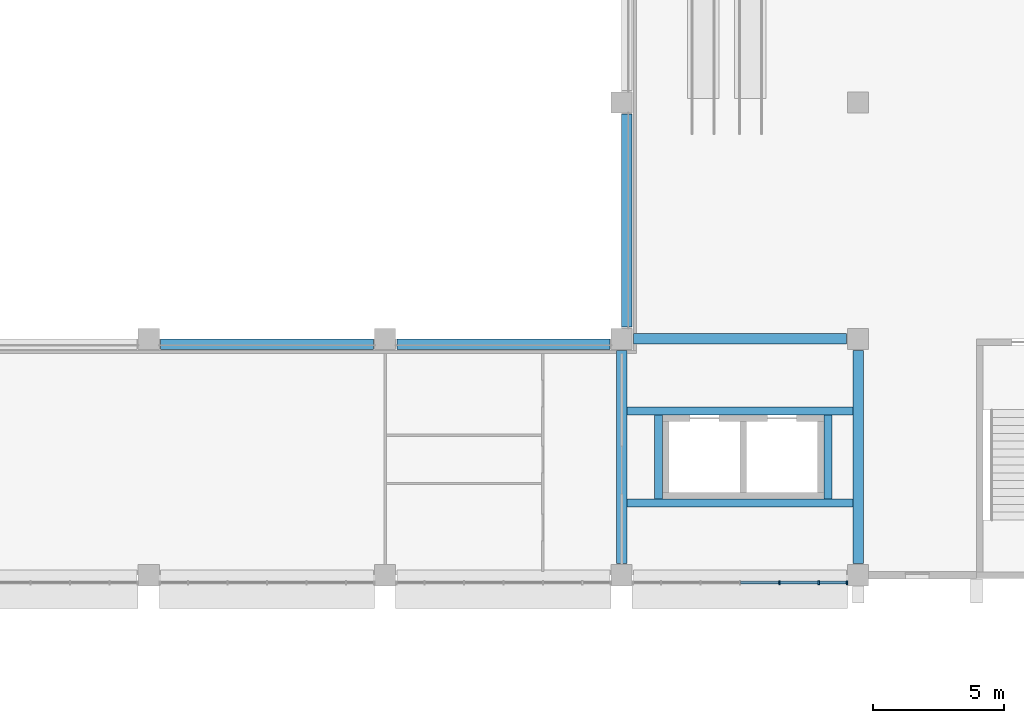
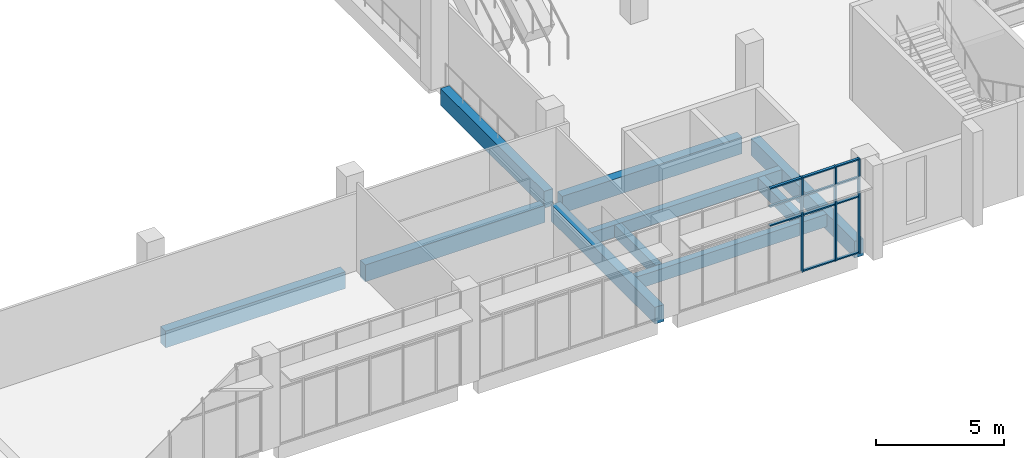
# One storey, part 6 of 106: 14 members, 10 beams, 1 element without a shape of its own.
"""IFC4 building model written with IfcOpenShell, lengths in metres."""

from ifc_helpers import new_model, si_unit, direction, frame, origin, origin_2d, place, context, subcontext, project, spatial, rectangle, extrude, material, layer, layer_set, material_profile, profile_set, type_object, element, aggregate, save


model = new_model("IFC4")

# Units and contexts
model_context = context("Model", 3, precision=1e-05, world=origin(), true_north=direction((0.0, 1.0)))
body_context = subcontext(model_context, "Body", "Model", "MODEL_VIEW")
ifc_project = project(units=[si_unit("LENGTHUNIT", "METRE"), si_unit("AREAUNIT", "SQUARE_METRE"), si_unit("VOLUMEUNIT", "CUBIC_METRE"), si_unit("PLANEANGLEUNIT", "RADIAN"), si_unit("MASSUNIT", "GRAM", prefix="KILO")], contexts=[model_context])

# Site, building, storey
site_placement = place(None, origin())
site = spatial("IfcSite", under=ifc_project, at=site_placement, CompositionType="ELEMENT")
building_placement = place(site_placement, origin())
building = spatial("IfcBuilding", under=site, at=building_placement, Name="Guidao Yard Department Store", CompositionType="ELEMENT")
storey_placement = place(building_placement, frame((0.0, 0.0, 10.5)))
storey = spatial("IfcBuildingStorey", under=building, at=storey_placement, Name="L02", CompositionType="ELEMENT", Elevation=10.5)

# Beams
ifc_material_1 = material(Name="Concrete C40", Category="concrete")
ifc_material_profile_1 = material_profile(ifc_material_1, rectangle(XDim=0.39990234375, YDim=0.800048828125, at=origin_2d()), Name="Edge beam 400 x 800 C40")
ifc_profile_set_1 = profile_set([ifc_material_profile_1], Name="Concrete C40")
beam_type_1 = type_object("IfcBeamType", Name="Edge beam 400 x 800 C40", PredefinedType="BEAM", material=ifc_profile_set_1)
for number, where, z_axis, x_axis, name in (
    (1, (27.449951171875, 53.800048828125, -0.39990234375), (1.0, 0.0, 0.0), (0.0, 1.0, 0.0), "Beam EB20"),
    (2, (36.449951171875, 53.800048828125, -0.39990234375), (1.0, 0.0, 0.0), (0.0, 1.0, 0.0), "Beam EB21"),
    (3, (45.199951171875, 54.449951171875, -0.39990234375), (0.0, 1.0, 0.0), (-1.0, 0.0, 0.0), "Beam EB22"),
    (4, (45.449951171875, 54.0, -0.39990234375), (1.0, 0.0, 0.0), (0.0, 1.0, 0.0), "Beam EB68"),
    (5, (45.0, 45.449951171875, -0.39990234375), (0.0, 1.0, 0.0), (-1.0, 0.0, 0.0), "Beam EB69"),
    (6, (54.0, 45.449951171875, -0.39990234375), (0.0, 1.0, 0.0), (-1.0, 0.0, 0.0), "Beam EB70"),
):
    element("IfcBeam", number, at=place(storey_placement, frame(where, z_axis=z_axis, x_axis=x_axis)), inside=storey, type_object=beam_type_1, Name=name, PredefinedType="BEAM", context=body_context, shape_type="SweptSolid", body=[
        extrude(rectangle(XDim=0.39990234375, YDim=0.800048828125, at=origin_2d()), origin(), (0.0, 0.0, 1.0), 8.10009765625),
    ])

# Curtain wall, members
ifc_material_2 = material(Name="Aluminium and glass", Category="aluminium")
ifc_layer = layer(ifc_material_2, 0.159912109375)
ifc_layer_set = layer_set([ifc_layer], Name="Hall front curtain wall CW2 1500 module")
curtain_wall_type = type_object("IfcCurtainWallType", Name="Hall front curtain wall CW2 1500 module", PredefinedType="NOTDEFINED", material=ifc_layer_set)
curtain_wall_placement = place(storey_placement, origin())
curtain_wall = element("IfcCurtainWall", 7, at=curtain_wall_placement, inside=storey, type_object=curtain_wall_type, Name="Hall front curtain wall", PredefinedType="NOTDEFINED")
ifc_material_3 = material(Name="Aluminium 6063-T5", Category="aluminium")
ifc_material_profile_2 = material_profile(ifc_material_3, rectangle(XDim=0.06005859375, YDim=0.159912109375, at=origin_2d()), Name="Mullion M1 60 x 160 aluminium pressure plate")
ifc_profile_set_2 = profile_set([ifc_material_profile_2], Name="Aluminium 6063-T5")
member_type_1 = type_object("IfcMemberType", Name="Mullion M1 60 x 160 aluminium pressure plate", PredefinedType="MULLION", material=ifc_profile_set_2)
member_1_placement = place(storey_placement, frame((51.0, 44.719970703125, 0.0), z_axis=(0.0, 0.0, 1.0), x_axis=(-1.0, 0.0, 0.0)))
member_1 = element("IfcMember", 8, at=member_1_placement, type_object=member_type_1, Name="CW-HF-L02-05 mullion 5", PredefinedType="MULLION", context=body_context, shape_type="SweptSolid", body=[
    extrude(rectangle(XDim=0.06005859375, YDim=0.159912109375, at=origin_2d()), origin(), (0.0, 0.0, 1.0), 4.5),
])
member_2_placement = place(storey_placement, frame((52.5, 44.719970703125, 0.0), z_axis=(0.0, 0.0, 1.0), x_axis=(-1.0, 0.0, 0.0)))
member_2 = element("IfcMember", 9, at=member_2_placement, type_object=member_type_1, Name="CW-HF-L02-05 mullion 6", PredefinedType="MULLION", context=body_context, shape_type="SweptSolid", body=[
    extrude(rectangle(XDim=0.06005859375, YDim=0.159912109375, at=origin_2d()), origin(), (0.0, 0.0, 1.0), 4.5),
])
member_3_placement = place(storey_placement, frame((53.570068359375, 44.719970703125, 0.0), z_axis=(0.0, 0.0, 1.0), x_axis=(-1.0, 0.0, 0.0)))
member_3 = element("IfcMember", 10, at=member_3_placement, type_object=member_type_1, Name="CW-HF-L02-05 mullion 7", PredefinedType="MULLION", context=body_context, shape_type="SweptSolid", body=[
    extrude(rectangle(XDim=0.06005859375, YDim=0.159912109375, at=origin_2d()), origin(), (0.0, 0.0, 1.0), 4.5),
])

# Beams
ifc_material_4 = material(Name="Concrete C40", Category="concrete")
ifc_material_profile_3 = material_profile(ifc_material_4, rectangle(XDim=0.300048828125, YDim=0.60009765625, at=origin_2d()), Name="Opening beam 300 x 600 C40")
ifc_profile_set_3 = profile_set([ifc_material_profile_3], Name="Concrete C40")
beam_type_2 = type_object("IfcBeamType", Name="Opening beam 300 x 600 C40", PredefinedType="BEAM", material=ifc_profile_set_3)
for number, where, z_axis, x_axis, name in (
    (11, (45.199951171875, 47.75, -0.300048828125), (1.0, 0.0, 0.0), (0.0, 1.0, 0.0), "Beam OB09"),
    (12, (45.199951171875, 51.25, -0.300048828125), (1.0, 0.0, 0.0), (0.0, 1.0, 0.0), "Beam OB10"),
):
    element("IfcBeam", number, at=place(storey_placement, frame(where, z_axis=z_axis, x_axis=x_axis)), inside=storey, type_object=beam_type_2, Name=name, PredefinedType="BEAM", context=body_context, shape_type="SweptSolid", body=[
        extrude(rectangle(XDim=0.300048828125, YDim=0.60009765625, at=origin_2d()), origin(), (0.0, 0.0, 1.0), 8.60009765625),
    ])
for number, where, z_axis, x_axis, name in (
    (13, (46.39990234375, 47.89990234375, -0.300048828125), (0.0, 1.0, 0.0), (-1.0, 0.0, 0.0), "Beam OB11"),
    (14, (52.85009765625, 47.89990234375, -0.300048828125), (0.0, 1.0, 0.0), (-1.0, 0.0, 0.0), "Beam OB12"),
):
    element("IfcBeam", number, at=place(storey_placement, frame(where, z_axis=z_axis, x_axis=x_axis)), inside=storey, type_object=beam_type_2, Name=name, PredefinedType="BEAM", context=body_context, shape_type="SweptSolid", body=[
        extrude(rectangle(XDim=0.300048828125, YDim=0.60009765625, at=origin_2d()), origin(), (0.0, 0.0, 1.0), 3.2001953125),
    ])

# Member
ifc_material_5 = material(Name="Aluminium 6063-T5", Category="aluminium")
ifc_material_profile_4 = material_profile(ifc_material_5, rectangle(XDim=0.1201171875, YDim=0.06005859375, at=origin_2d()), Name="Transom T1 60 x 120 aluminium pressure plate")
ifc_profile_set_4 = profile_set([ifc_material_profile_4], Name="Aluminium 6063-T5")
member_type_2 = type_object("IfcMemberType", Name="Transom T1 60 x 120 aluminium pressure plate", PredefinedType="USERDEFINED", material=ifc_profile_set_4)
member_4_placement = place(storey_placement, frame((50.969970703125, 44.719970703125, 2.699951171875), z_axis=(-1.0, 0.0, 0.0), x_axis=(0.0, -1.0, 0.0)))
member_4 = element("IfcMember", 15, at=member_4_placement, type_object=member_type_2, Name="CW-HF-L02-05 transom 4.2", ObjectType="TRANSOM", PredefinedType="USERDEFINED", context=body_context, shape_type="SweptSolid", body=[
    extrude(rectangle(XDim=0.1201171875, YDim=0.06005859375, at=origin_2d()), origin(), (0.0, 0.0, 1.0), 1.43994140625),
])

member_5_placement = place(storey_placement, frame((50.969970703125, 44.719970703125, 3.60009765625), z_axis=(-1.0, 0.0, 0.0), x_axis=(0.0, -1.0, 0.0)))
member_5 = element("IfcMember", 16, at=member_5_placement, type_object=member_type_2, Name="CW-HF-L02-05 transom 4.3", ObjectType="TRANSOM", PredefinedType="USERDEFINED", context=body_context, shape_type="SweptSolid", body=[
    extrude(rectangle(XDim=0.1201171875, YDim=0.06005859375, at=origin_2d()), origin(), (0.0, 0.0, 1.0), 1.43994140625),
])

member_6_placement = place(storey_placement, frame((50.969970703125, 44.719970703125, 4.469970703125), z_axis=(-1.0, 0.0, 0.0), x_axis=(0.0, -1.0, 0.0)))
member_6 = element("IfcMember", 17, at=member_6_placement, type_object=member_type_2, Name="CW-HF-L02-05 transom 4.4", ObjectType="TRANSOM", PredefinedType="USERDEFINED", context=body_context, shape_type="SweptSolid", body=[
    extrude(rectangle(XDim=0.1201171875, YDim=0.06005859375, at=origin_2d()), origin(), (0.0, 0.0, 1.0), 1.43994140625),
])

member_7_placement = place(storey_placement, frame((52.469970703125, 44.719970703125, 0.030029296875), z_axis=(-1.0, 0.0, 0.0), x_axis=(0.0, -1.0, 0.0)))
member_7 = element("IfcMember", 18, at=member_7_placement, type_object=member_type_2, Name="CW-HF-L02-05 transom 5.1", ObjectType="TRANSOM", PredefinedType="USERDEFINED", context=body_context, shape_type="SweptSolid", body=[
    extrude(rectangle(XDim=0.1201171875, YDim=0.06005859375, at=origin_2d()), origin(), (0.0, 0.0, 1.0), 1.43994140625),
])

member_8_placement = place(storey_placement, frame((52.469970703125, 44.719970703125, 2.699951171875), z_axis=(-1.0, 0.0, 0.0), x_axis=(0.0, -1.0, 0.0)))
member_8 = element("IfcMember", 19, at=member_8_placement, type_object=member_type_2, Name="CW-HF-L02-05 transom 5.2", ObjectType="TRANSOM", PredefinedType="USERDEFINED", context=body_context, shape_type="SweptSolid", body=[
    extrude(rectangle(XDim=0.1201171875, YDim=0.06005859375, at=origin_2d()), origin(), (0.0, 0.0, 1.0), 1.43994140625),
])

member_9_placement = place(storey_placement, frame((52.469970703125, 44.719970703125, 3.60009765625), z_axis=(-1.0, 0.0, 0.0), x_axis=(0.0, -1.0, 0.0)))
member_9 = element("IfcMember", 20, at=member_9_placement, type_object=member_type_2, Name="CW-HF-L02-05 transom 5.3", ObjectType="TRANSOM", PredefinedType="USERDEFINED", context=body_context, shape_type="SweptSolid", body=[
    extrude(rectangle(XDim=0.1201171875, YDim=0.06005859375, at=origin_2d()), origin(), (0.0, 0.0, 1.0), 1.43994140625),
])

member_10_placement = place(storey_placement, frame((52.469970703125, 44.719970703125, 4.469970703125), z_axis=(-1.0, 0.0, 0.0), x_axis=(0.0, -1.0, 0.0)))
member_10 = element("IfcMember", 21, at=member_10_placement, type_object=member_type_2, Name="CW-HF-L02-05 transom 5.4", ObjectType="TRANSOM", PredefinedType="USERDEFINED", context=body_context, shape_type="SweptSolid", body=[
    extrude(rectangle(XDim=0.1201171875, YDim=0.06005859375, at=origin_2d()), origin(), (0.0, 0.0, 1.0), 1.43994140625),
])

member_11_placement = place(storey_placement, frame((53.5400390625, 44.719970703125, 0.030029296875), z_axis=(-1.0, 0.0, 0.0), x_axis=(0.0, -1.0, 0.0)))
member_11 = element("IfcMember", 22, at=member_11_placement, type_object=member_type_2, Name="CW-HF-L02-05 transom 6.1", ObjectType="TRANSOM", PredefinedType="USERDEFINED", context=body_context, shape_type="SweptSolid", body=[
    extrude(rectangle(XDim=0.1201171875, YDim=0.06005859375, at=origin_2d()), origin(), (0.0, 0.0, 1.0), 1.010009765625),
])

member_12_placement = place(storey_placement, frame((53.5400390625, 44.719970703125, 2.699951171875), z_axis=(-1.0, 0.0, 0.0), x_axis=(0.0, -1.0, 0.0)))
member_12 = element("IfcMember", 23, at=member_12_placement, type_object=member_type_2, Name="CW-HF-L02-05 transom 6.2", ObjectType="TRANSOM", PredefinedType="USERDEFINED", context=body_context, shape_type="SweptSolid", body=[
    extrude(rectangle(XDim=0.1201171875, YDim=0.06005859375, at=origin_2d()), origin(), (0.0, 0.0, 1.0), 1.010009765625),
])

member_13_placement = place(storey_placement, frame((53.5400390625, 44.719970703125, 3.60009765625), z_axis=(-1.0, 0.0, 0.0), x_axis=(0.0, -1.0, 0.0)))
member_13 = element("IfcMember", 24, at=member_13_placement, type_object=member_type_2, Name="CW-HF-L02-05 transom 6.3", ObjectType="TRANSOM", PredefinedType="USERDEFINED", context=body_context, shape_type="SweptSolid", body=[
    extrude(rectangle(XDim=0.1201171875, YDim=0.06005859375, at=origin_2d()), origin(), (0.0, 0.0, 1.0), 1.010009765625),
])

member_14_placement = place(storey_placement, frame((53.5400390625, 44.719970703125, 4.469970703125), z_axis=(-1.0, 0.0, 0.0), x_axis=(0.0, -1.0, 0.0)))
member_14 = element("IfcMember", 25, at=member_14_placement, type_object=member_type_2, Name="CW-HF-L02-05 transom 6.4", ObjectType="TRANSOM", PredefinedType="USERDEFINED", context=body_context, shape_type="SweptSolid", body=[
    extrude(rectangle(XDim=0.1201171875, YDim=0.06005859375, at=origin_2d()), origin(), (0.0, 0.0, 1.0), 1.010009765625),
])

aggregate(curtain_wall, [member_1, member_2, member_3, member_4, member_5, member_6, member_7, member_8, member_9, member_10, member_11, member_12, member_13, member_14])

save(model, "model.ifc")
